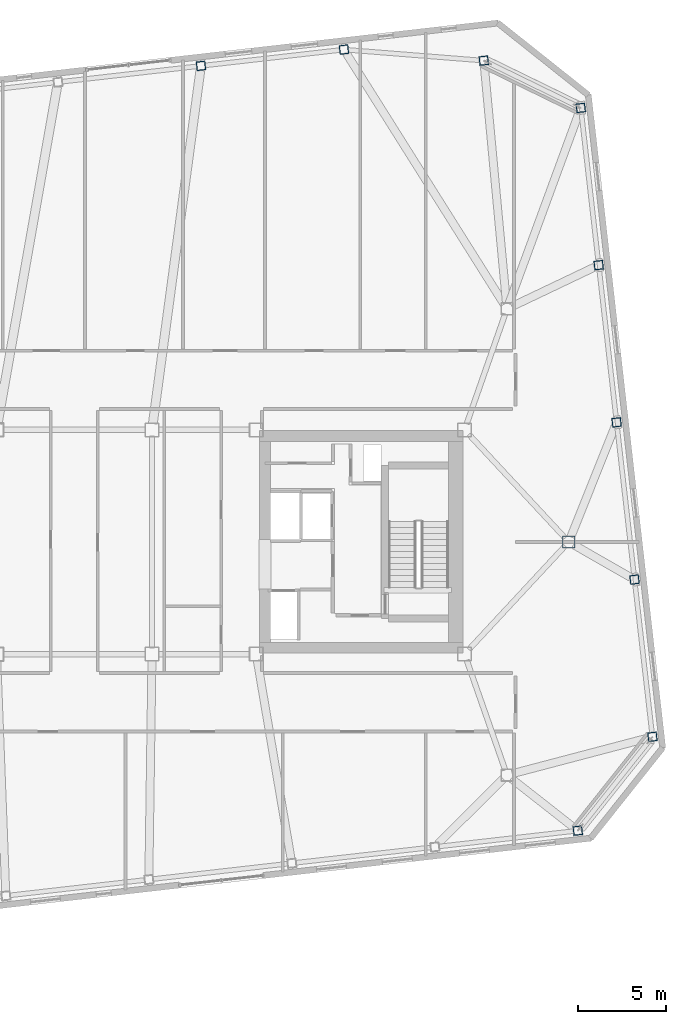
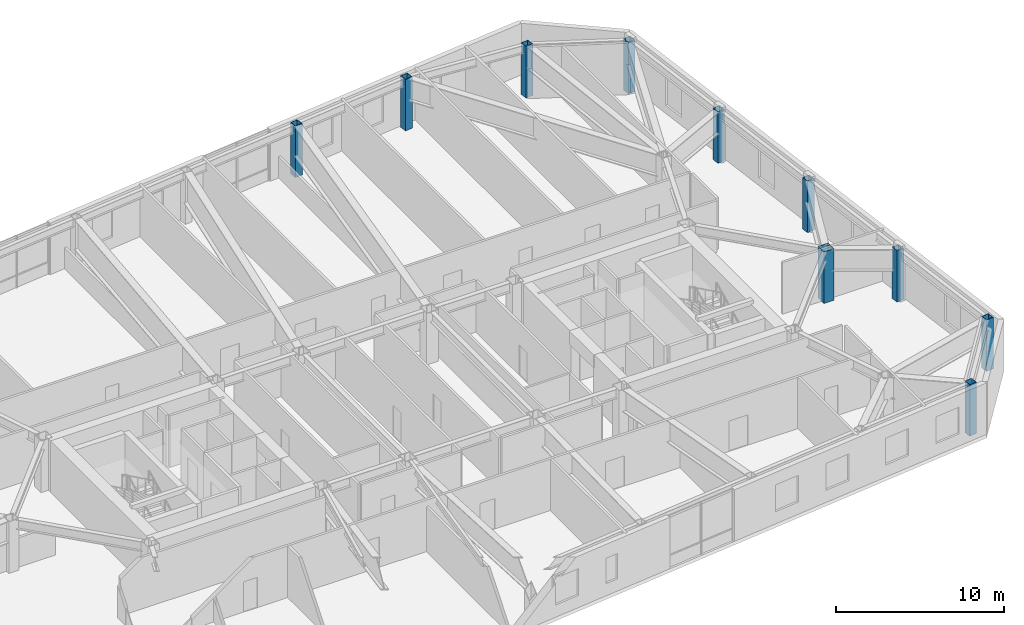
# One storey, part 3 of 18: 10 columns.
"""IFC4 building model written with IfcOpenShell, lengths in metres."""

from ifc_helpers import new_model, si_unit, direction, frame, origin, origin_2d, place, context, subcontext, project, spatial, hollow_rectangle, extrude, material, material_profile, profile_set, type_object, element, save


model = new_model("IFC4")

# Units and contexts
model_context = context("Model", 3, precision=1e-05, world=origin(), true_north=direction((0.0, 1.0)))
body_context = subcontext(model_context, "Body", "Model", "MODEL_VIEW")
ifc_project = project(units=[si_unit("LENGTHUNIT", "METRE"), si_unit("AREAUNIT", "SQUARE_METRE"), si_unit("VOLUMEUNIT", "CUBIC_METRE"), si_unit("PLANEANGLEUNIT", "RADIAN"), si_unit("MASSUNIT", "GRAM", prefix="KILO")], contexts=[model_context])

# Site, building, storey
site_placement = place(None, origin())
site = spatial("IfcSite", under=ifc_project, at=site_placement, CompositionType="ELEMENT")
building_placement = place(site_placement, origin())
building = spatial("IfcBuilding", under=site, at=building_placement, Name="Tavrogorsk Clinical Tower", CompositionType="ELEMENT")
storey_placement = place(building_placement, frame((0.0, 0.0, 226.199951171875)))
storey = spatial("IfcBuildingStorey", under=building, at=storey_placement, Name="L52", CompositionType="ELEMENT", Elevation=226.199951171875)

# Columns
ifc_material_1 = material(Name="Structural steel S440", Category="steel")
ifc_material_profile_1 = material_profile(ifc_material_1, hollow_rectangle(XDim=0.699951171875, YDim=0.699951171875, WallThickness=0.031982421875, at=origin_2d()), Name="BOX-700x700x32")
ifc_profile_set_1 = profile_set([ifc_material_profile_1], Name="Structural steel S440")
column_type_1 = type_object("IfcColumnType", Name="MegaCol_BOX700", PredefinedType="COLUMN", material=ifc_profile_set_1)
column_placement = place(storey_placement, frame((28.0, 0.0, 0.0), z_axis=(0.0, 0.0, 1.0), x_axis=(1.0, 0.0, 0.0)))
element("IfcColumn", 1, at=column_placement, inside=storey, type_object=column_type_1, Name="L52 Spine Pilotis Column MC-P6", PredefinedType="COLUMN", context=body_context, shape_type="SweptSolid", body=[
    extrude(hollow_rectangle(XDim=0.699951171875, YDim=0.699951171875, WallThickness=0.031982421875, at=origin_2d()), origin(), (0.0, 0.0, 1.0), 3.739990234375),
])
ifc_material_2 = material(Name="Structural steel S440", Category="steel")
ifc_material_profile_2 = material_profile(ifc_material_2, hollow_rectangle(XDim=0.5, YDim=0.5, WallThickness=0.02490234375, at=origin_2d()), Name="BOX-500x500x25")
ifc_profile_set_2 = profile_set([ifc_material_profile_2], Name="Structural steel S440")
column_type_2 = type_object("IfcColumnType", Name="PerimCol_B4_BOX500", PredefinedType="COLUMN", material=ifc_profile_set_2)
for number, where, z_axis, x_axis, name in (
    (2, (28.508544921875, -16.345458984375, 0.0), (0.0, 0.0, 1.0), (0.993571855677, 0.113203213768, 0.0), "L52 Perimeter Column S8"),
    (3, (23.188232421875, 27.25341796875, 0.0), (0.0, 0.0, 1.0), (0.993571855677, 0.113203213768, 0.0), "L52 Perimeter Column N1"),
    (4, (15.2685546875, 27.880126953125, 0.0), (0.0, 0.0, 1.0), (0.993571855677, 0.113203213768, 0.0), "L52 Perimeter Column N2"),
    (5, (7.17236328125, 26.95751953125, 0.0), (0.0, 0.0, 1.0), (0.993571855677, 0.113203213768, 0.0), "L52 Perimeter Column N3"),
    (6, (32.734375, -11.032958984375, 0.0), (0.0, 0.0, 1.0), (0.993571855677, 0.113203213768, 0.0), "L52 Perimeter Column E1"),
    (7, (31.72021484375, -2.130615234375, 0.0), (0.0, 0.0, 1.0), (0.993571855677, 0.113203213768, 0.0), "L52 Perimeter Column E2"),
    (8, (30.705810546875, 6.77197265625, 0.0), (0.0, 0.0, 1.0), (0.993571855677, 0.113203213768, 0.0), "L52 Perimeter Column E3"),
    (9, (29.69140625, 15.67431640625, 0.0), (0.0, 0.0, 1.0), (0.993571855677, 0.113203213768, 0.0), "L52 Perimeter Column E4"),
    (10, (28.67724609375, 24.57666015625, 0.0), (0.0, 0.0, 1.0), (0.993571855677, 0.113203213768, 0.0), "L52 Perimeter Column E5"),
):
    element("IfcColumn", number, at=place(storey_placement, frame(where, z_axis=z_axis, x_axis=x_axis)), inside=storey, type_object=column_type_2, Name=name, PredefinedType="COLUMN", context=body_context, shape_type="SweptSolid", body=[
        extrude(hollow_rectangle(XDim=0.5, YDim=0.5, WallThickness=0.02490234375, at=origin_2d()), origin(), (0.0, 0.0, 1.0), 3.739990234375),
    ])

save(model, "model.ifc")
